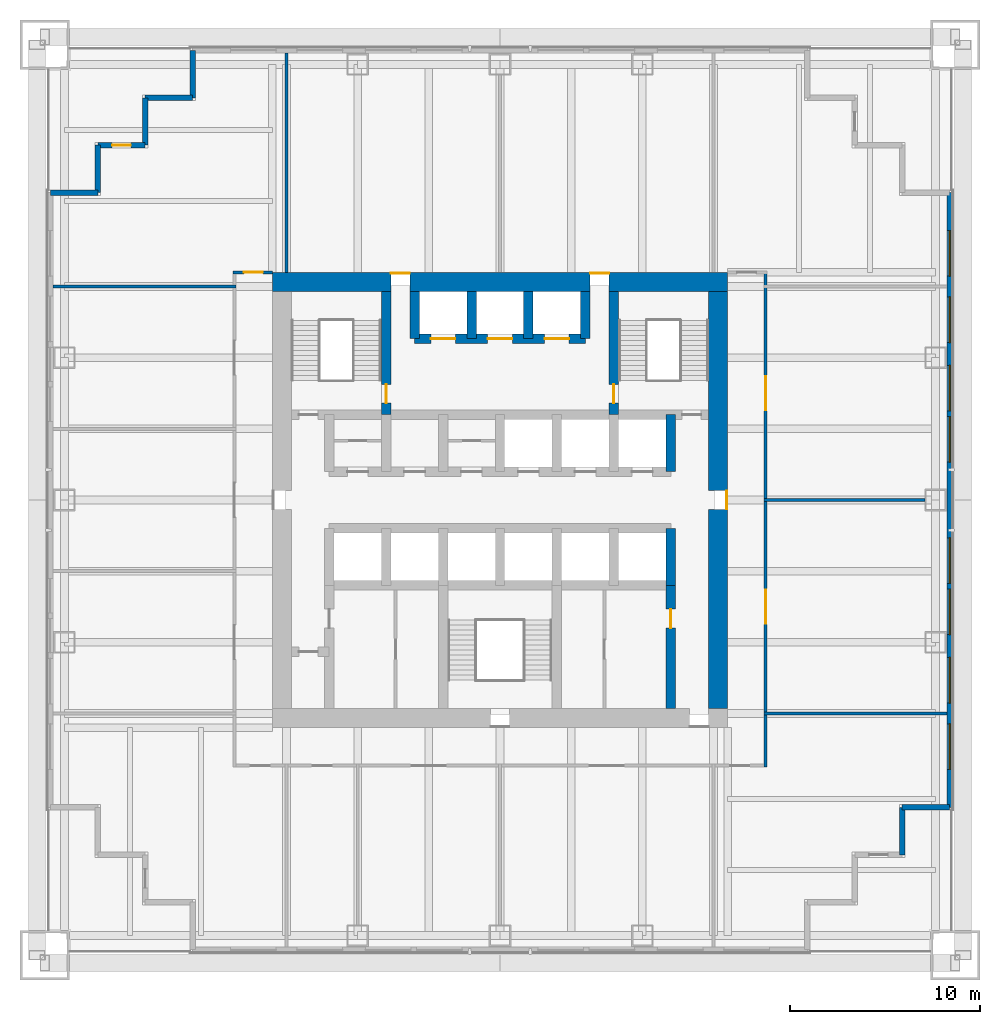
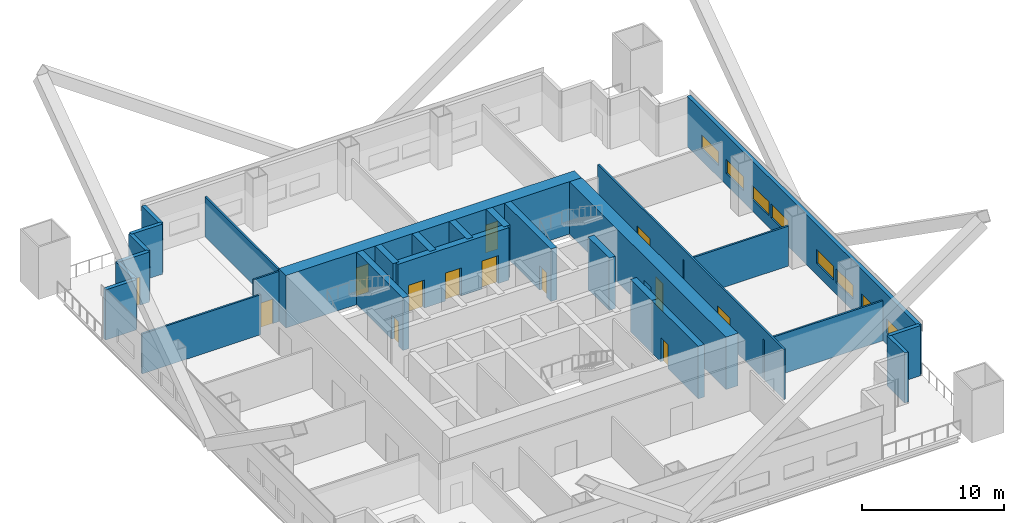
# One storey, part 4 of 7: 27 walls, 13 doors, 8 windows, 21 openings.
"""IFC4 building model written with IfcOpenShell, lengths in metres."""

from ifc_helpers import new_model, si_unit, direction, frame, frame_2d, origin, place, context, subcontext, project, spatial, rectangle, extrude, material, layer, layer_set, type_object, element, fill, save


model = new_model("IFC4")

# Units and contexts
model_context = context("Model", 3, precision=1e-05, world=origin(), true_north=direction((0.0, 1.0)))
body_context = subcontext(model_context, "Body", "Model", "MODEL_VIEW")
ifc_project = project(units=[si_unit("LENGTHUNIT", "METRE"), si_unit("AREAUNIT", "SQUARE_METRE"), si_unit("VOLUMEUNIT", "CUBIC_METRE"), si_unit("PLANEANGLEUNIT", "RADIAN"), si_unit("MASSUNIT", "GRAM", prefix="KILO")], contexts=[model_context])

# Site, building, storey
site_placement = place(None, origin())
site = spatial("IfcSite", under=ifc_project, at=site_placement, CompositionType="ELEMENT")
building_placement = place(site_placement, origin())
building = spatial("IfcBuilding", under=site, at=building_placement, Name="Tarangal Relay Tower", CompositionType="ELEMENT")
storey_placement = place(building_placement, frame((0.0, 0.0, 153.89990234375)))
storey = spatial("IfcBuildingStorey", under=building, at=storey_placement, Name="L31", CompositionType="ELEMENT", Elevation=153.89990234375)

# Wall, openings, doors
ifc_material_1 = material(Name="Concrete fc' 60 MPa", Category="concrete")
ifc_layer_1 = layer(ifc_material_1, 0.5)
ifc_layer_set_1 = layer_set([ifc_layer_1], Name="Core inner wall 500")
wall_type_1 = type_object("IfcWallType", Name="Core inner wall 500", PredefinedType="SHEAR", material=ifc_layer_set_1)
wall_1_placement = place(storey_placement, frame((-4.5, 8.5, 0.0), z_axis=(0.0, 0.0, 1.0), x_axis=(1.0, 0.0, 0.0)))
wall_1 = element("IfcWall", 1, at=wall_1_placement, inside=storey, type_object=wall_type_1, Name="Core wall Y85 L31", PredefinedType="SHEAR", context=body_context, shape_type="SweptSolid", body=[
    extrude(rectangle(XDim=9.0, YDim=0.5, at=frame_2d((4.5, 0.0))), origin(), (0.0, 0.0, 1.0), 4.5),
])
opening_1_placement = place(wall_1_placement, frame((0.85009765625, 0.0, 0.0)))
opening_1 = element("IfcOpeningElement", 2, at=opening_1_placement, cuts=wall_1, Name="Opening LD2", PredefinedType="OPENING", context=body_context, shape_type="SweptSolid", body=[
    extrude(rectangle(XDim=1.300048828125, YDim=2.39990234375, at=frame_2d((0.64990234375, 1.199951171875))), frame((0.0, 0.260009765625, 0.0), z_axis=(0.0, -1.0, 0.0), x_axis=(1.0, 0.0, 0.0)), (0.0, 0.0, 1.0), 0.52001953125),
])
opening_2_placement = place(wall_1_placement, frame((6.85009765625, 0.0, 0.0)))
opening_2 = element("IfcOpeningElement", 3, at=opening_2_placement, cuts=wall_1, Name="Opening LD2", PredefinedType="OPENING", context=body_context, shape_type="SweptSolid", body=[
    extrude(rectangle(XDim=1.300048828125, YDim=2.39990234375, at=frame_2d((0.64990234375, 1.199951171875))), frame((0.0, 0.260009765625, 0.0), z_axis=(0.0, -1.0, 0.0), x_axis=(1.0, 0.0, 0.0)), (0.0, 0.0, 1.0), 0.52001953125),
])
opening_3_placement = place(wall_1_placement, frame((3.85009765625, 0.0, 0.0)))
opening_3 = element("IfcOpeningElement", 4, at=opening_3_placement, cuts=wall_1, Name="Opening LD2", PredefinedType="OPENING", context=body_context, shape_type="SweptSolid", body=[
    extrude(rectangle(XDim=1.300048828125, YDim=2.39990234375, at=frame_2d((0.64990234375, 1.199951171875))), frame((0.0, 0.260009765625, 0.0), z_axis=(0.0, -1.0, 0.0), x_axis=(1.0, 0.0, 0.0)), (0.0, 0.0, 1.0), 0.52001953125),
])
ifc_material_2 = material(Name="Steel door with hardwood frame", Category="steel")
door_type_1 = type_object("IfcDoorType", Name="Lift landing door 1300 x 2400", OperationType="SLIDING_TO_LEFT", PredefinedType="DOOR", material=ifc_material_2)
door_1_placement = place(opening_1_placement, origin())
door_1 = element("IfcDoor", 5, at=door_1_placement, inside=storey, type_object=door_type_1, Name="Lift FF1 landing door L31", OperationType="SLIDING_TO_LEFT", OverallHeight=2.39990234375, OverallWidth=1.300048828125, PredefinedType="DOOR", context=body_context, shape_type="SweptSolid", body=[
    extrude(rectangle(XDim=1.300048828125, YDim=2.39990234375, at=frame_2d((0.64990234375, 1.199951171875))), frame((0.0, 0.02490234375, 0.0), z_axis=(0.0, -1.0, 0.0), x_axis=(1.0, 0.0, 0.0)), (0.0, 0.0, 1.0), 0.050048828125),
])
fill(opening_1, door_1)
door_2_placement = place(opening_2_placement, origin())
door_2 = element("IfcDoor", 6, at=door_2_placement, inside=storey, type_object=door_type_1, Name="Lift FF2 landing door L31", OperationType="SLIDING_TO_LEFT", OverallHeight=2.39990234375, OverallWidth=1.300048828125, PredefinedType="DOOR", context=body_context, shape_type="SweptSolid", body=[
    extrude(rectangle(XDim=1.300048828125, YDim=2.39990234375, at=frame_2d((0.64990234375, 1.199951171875))), frame((0.0, 0.02490234375, 0.0), z_axis=(0.0, -1.0, 0.0), x_axis=(1.0, 0.0, 0.0)), (0.0, 0.0, 1.0), 0.050048828125),
])
fill(opening_2, door_2)
door_3_placement = place(opening_3_placement, origin())
door_3 = element("IfcDoor", 7, at=door_3_placement, inside=storey, type_object=door_type_1, Name="Lift SV1 landing door L31", OperationType="SLIDING_TO_LEFT", OverallHeight=2.39990234375, OverallWidth=1.300048828125, PredefinedType="DOOR", context=body_context, shape_type="SweptSolid", body=[
    extrude(rectangle(XDim=1.300048828125, YDim=2.39990234375, at=frame_2d((0.64990234375, 1.199951171875))), frame((0.0, 0.02490234375, 0.0), z_axis=(0.0, -1.0, 0.0), x_axis=(1.0, 0.0, 0.0)), (0.0, 0.0, 1.0), 0.050048828125),
])
fill(opening_3, door_3)

# Walls
for number, where, z_axis, x_axis, name in (
    (8, (9.0, 1.5, 0.0), (0.0, 0.0, 1.0), (0.0, 1.0, 0.0), "Core wall X9N L31"),
    (9, (9.0, -4.5, 0.0), (0.0, 0.0, 1.0), (0.0, 1.0, 0.0), "Core wall X9S L31"),
):
    element("IfcWall", number, at=place(storey_placement, frame(where, z_axis=z_axis, x_axis=x_axis)), inside=storey, type_object=wall_type_1, Name=name, PredefinedType="SHEAR", context=body_context, shape_type="SweptSolid", body=[
        extrude(rectangle(XDim=3.0, YDim=0.5, at=frame_2d((1.5, 0.0))), origin(), (0.0, 0.0, 1.0), 4.5),
    ])

# Wall, opening, door
wall_2_placement = place(storey_placement, frame((-6.0, 4.5, 0.0), z_axis=(0.0, 0.0, 1.0), x_axis=(0.0, 1.0, 0.0)))
wall_2 = element("IfcWall", 10, at=wall_2_placement, inside=storey, type_object=wall_type_1, Name="Core wall XM6 L31", PredefinedType="SHEAR", context=body_context, shape_type="SweptSolid", body=[
    extrude(rectangle(XDim=6.5, YDim=0.5, at=frame_2d((3.25, 0.0))), origin(), (0.0, 0.0, 1.0), 4.5),
])
opening_4_placement = place(wall_2_placement, frame((0.60009765625, 0.0, 0.0)))
opening_4 = element("IfcOpeningElement", 11, at=opening_4_placement, cuts=wall_2, Name="Opening FD1", PredefinedType="OPENING", context=body_context, shape_type="SweptSolid", body=[
    extrude(rectangle(XDim=1.0, YDim=2.10009765625, at=frame_2d((0.5, 1.050048828125))), frame((0.0, 0.260009765625, 0.0), z_axis=(0.0, -1.0, 0.0), x_axis=(1.0, 0.0, 0.0)), (0.0, 0.0, 1.0), 0.52001953125),
])
door_type_2 = type_object("IfcDoorType", Name="Fire door 1000 x 2100", OperationType="SINGLE_SWING_LEFT", PredefinedType="DOOR", material=ifc_material_2)
door_4_placement = place(opening_4_placement, origin())
door_4 = element("IfcDoor", 12, at=door_4_placement, inside=storey, type_object=door_type_2, Name="Stair ST-A door from fire-fighting lobby L31", OperationType="SINGLE_SWING_LEFT", OverallHeight=2.10009765625, OverallWidth=1.0, PredefinedType="DOOR", context=body_context, shape_type="SweptSolid", body=[
    extrude(rectangle(XDim=1.0, YDim=2.10009765625, at=frame_2d((0.5, 1.050048828125))), frame((0.0, 0.02490234375, 0.0), z_axis=(0.0, -1.0, 0.0), x_axis=(1.0, 0.0, 0.0)), (0.0, 0.0, 1.0), 0.050048828125),
])
fill(opening_4, door_4)

wall_3_placement = place(storey_placement, frame((6.0, 4.5, 0.0), z_axis=(0.0, 0.0, 1.0), x_axis=(0.0, 1.0, 0.0)))
wall_3 = element("IfcWall", 13, at=wall_3_placement, inside=storey, type_object=wall_type_1, Name="Core wall X6 L31", PredefinedType="SHEAR", context=body_context, shape_type="SweptSolid", body=[
    extrude(rectangle(XDim=6.5, YDim=0.5, at=frame_2d((3.25, 0.0))), origin(), (0.0, 0.0, 1.0), 4.5),
])
opening_5_placement = place(wall_3_placement, frame((0.60009765625, 0.0, 0.0)))
opening_5 = element("IfcOpeningElement", 14, at=opening_5_placement, cuts=wall_3, Name="Opening FD1", PredefinedType="OPENING", context=body_context, shape_type="SweptSolid", body=[
    extrude(rectangle(XDim=1.0, YDim=2.10009765625, at=frame_2d((0.5, 1.050048828125))), frame((0.0, 0.260009765625, 0.0), z_axis=(0.0, -1.0, 0.0), x_axis=(1.0, 0.0, 0.0)), (0.0, 0.0, 1.0), 0.52001953125),
])
door_5_placement = place(opening_5_placement, origin())
door_5 = element("IfcDoor", 15, at=door_5_placement, inside=storey, type_object=door_type_2, Name="Stair ST-B door from fire-fighting lobby L31", OperationType="SINGLE_SWING_LEFT", OverallHeight=2.10009765625, OverallWidth=1.0, PredefinedType="DOOR", context=body_context, shape_type="SweptSolid", body=[
    extrude(rectangle(XDim=1.0, YDim=2.10009765625, at=frame_2d((0.5, 1.050048828125))), frame((0.0, 0.02490234375, 0.0), z_axis=(0.0, -1.0, 0.0), x_axis=(1.0, 0.0, 0.0)), (0.0, 0.0, 1.0), 0.050048828125),
])
fill(opening_5, door_5)

# Walls
for number, where, z_axis, x_axis, name in (
    (16, (-4.5, 8.5, 0.0), (0.0, 0.0, 1.0), (0.0, 1.0, 0.0), "Core wall XM45 L31"),
    (17, (4.5, 8.5, 0.0), (0.0, 0.0, 1.0), (0.0, 1.0, 0.0), "Core wall X45 L31"),
    (18, (-1.5, 8.5, 0.0), (0.0, 0.0, 1.0), (0.0, 1.0, 0.0), "Core wall XM15 L31"),
    (19, (1.5, 8.5, 0.0), (0.0, 0.0, 1.0), (0.0, 1.0, 0.0), "Core wall X15 L31"),
):
    element("IfcWall", number, at=place(storey_placement, frame(where, z_axis=z_axis, x_axis=x_axis)), inside=storey, type_object=wall_type_1, Name=name, PredefinedType="SHEAR", context=body_context, shape_type="SweptSolid", body=[
        extrude(rectangle(XDim=2.5, YDim=0.5, at=frame_2d((1.25, 0.0))), origin(), (0.0, 0.0, 1.0), 4.5),
    ])

# Wall, opening, door
wall_4_placement = place(storey_placement, frame((9.0, -11.0, 0.0), z_axis=(0.0, 0.0, 1.0), x_axis=(0.0, 1.0, 0.0)))
wall_4 = element("IfcWall", 20, at=wall_4_placement, inside=storey, type_object=wall_type_1, Name="Core wall X9W L31", PredefinedType="SHEAR", context=body_context, shape_type="SweptSolid", body=[
    extrude(rectangle(XDim=6.5, YDim=0.5, at=frame_2d((3.25, 0.0))), origin(), (0.0, 0.0, 1.0), 4.5),
])
opening_6_placement = place(wall_4_placement, frame((4.25, 0.0, 0.0)))
opening_6 = element("IfcOpeningElement", 21, at=opening_6_placement, cuts=wall_4, Name="Opening D1", PredefinedType="OPENING", context=body_context, shape_type="SweptSolid", body=[
    extrude(rectangle(XDim=1.0, YDim=2.10009765625, at=frame_2d((0.5, 1.050048828125))), frame((0.0, 0.260009765625, 0.0), z_axis=(0.0, -1.0, 0.0), x_axis=(1.0, 0.0, 0.0)), (0.0, 0.0, 1.0), 0.52001953125),
])
ifc_material_3 = material(Name="Hardwood door", Category="wood")
door_type_3 = type_object("IfcDoorType", Name="WC door 1000 x 2100", OperationType="SINGLE_SWING_LEFT", PredefinedType="DOOR", material=ifc_material_3)
door_6_placement = place(opening_6_placement, origin())
door_6 = element("IfcDoor", 22, at=door_6_placement, inside=storey, type_object=door_type_3, Name="Female WC door L31", OperationType="SINGLE_SWING_LEFT", OverallHeight=2.10009765625, OverallWidth=1.0, PredefinedType="DOOR", context=body_context, shape_type="SweptSolid", body=[
    extrude(rectangle(XDim=1.0, YDim=2.10009765625, at=frame_2d((0.5, 1.050048828125))), frame((0.0, 0.02490234375, 0.0), z_axis=(0.0, -1.0, 0.0), x_axis=(1.0, 0.0, 0.0)), (0.0, 0.0, 1.0), 0.050048828125),
])
fill(opening_6, door_6)

# Wall, openings, doors
ifc_layer_2 = layer(ifc_material_1, 1.0)
ifc_layer_set_2 = layer_set([ifc_layer_2], Name="Core wall 1000")
wall_type_2 = type_object("IfcWallType", Name="Core wall 1000", PredefinedType="SHEAR", material=ifc_layer_set_2)
wall_5_placement = place(storey_placement, frame((-12.0, 11.5, 0.0), z_axis=(0.0, 0.0, 1.0), x_axis=(1.0, 0.0, 0.0)))
wall_5 = element("IfcWall", 23, at=wall_5_placement, inside=storey, type_object=wall_type_2, Name="Core wall N L31", PredefinedType="SHEAR", context=body_context, shape_type="SweptSolid", body=[
    extrude(rectangle(XDim=24.0, YDim=1.0, at=frame_2d((12.0, 0.0))), origin(), (0.0, 0.0, 1.0), 4.5),
])
opening_7_placement = place(wall_5_placement, frame((6.25, 0.0, 0.0)))
opening_7 = element("IfcOpeningElement", 24, at=opening_7_placement, cuts=wall_5, Name="Opening FD3", PredefinedType="OPENING", context=body_context, shape_type="SweptSolid", body=[
    extrude(rectangle(XDim=1.0, YDim=2.39990234375, at=frame_2d((0.5, 1.199951171875))), frame((0.0, 0.510009765625, 0.0), z_axis=(0.0, -1.0, 0.0), x_axis=(1.0, 0.0, 0.0)), (0.0, 0.0, 1.0), 1.02001953125),
])
opening_8_placement = place(wall_5_placement, frame((16.75, 0.0, 0.0)))
opening_8 = element("IfcOpeningElement", 25, at=opening_8_placement, cuts=wall_5, Name="Opening FD3", PredefinedType="OPENING", context=body_context, shape_type="SweptSolid", body=[
    extrude(rectangle(XDim=1.0, YDim=2.39990234375, at=frame_2d((0.5, 1.199951171875))), frame((0.0, 0.510009765625, 0.0), z_axis=(0.0, -1.0, 0.0), x_axis=(1.0, 0.0, 0.0)), (0.0, 0.0, 1.0), 1.02001953125),
])
door_type_4 = type_object("IfcDoorType", Name="Fire door 1000 x 2400 core entry", OperationType="SINGLE_SWING_RIGHT", PredefinedType="DOOR", material=ifc_material_2)
door_7_placement = place(opening_7_placement, origin())
door_7 = element("IfcDoor", 26, at=door_7_placement, inside=storey, type_object=door_type_4, Name="Core entry door north west L31", OperationType="SINGLE_SWING_RIGHT", OverallHeight=2.39990234375, OverallWidth=1.0, PredefinedType="DOOR", context=body_context, shape_type="SweptSolid", body=[
    extrude(rectangle(XDim=1.0, YDim=2.39990234375, at=frame_2d((0.5, 1.199951171875))), frame((0.0, 0.48486328125, 0.0), z_axis=(0.0, -1.0, 0.0), x_axis=(1.0, 0.0, 0.0)), (0.0, 0.0, 1.0), 0.050048828125),
])
fill(opening_7, door_7)
door_8_placement = place(opening_8_placement, origin())
door_8 = element("IfcDoor", 27, at=door_8_placement, inside=storey, type_object=door_type_4, Name="Core entry door north east L31", OperationType="SINGLE_SWING_RIGHT", OverallHeight=2.39990234375, OverallWidth=1.0, PredefinedType="DOOR", context=body_context, shape_type="SweptSolid", body=[
    extrude(rectangle(XDim=1.0, YDim=2.39990234375, at=frame_2d((0.5, 1.199951171875))), frame((0.0, 0.48486328125, 0.0), z_axis=(0.0, -1.0, 0.0), x_axis=(1.0, 0.0, 0.0)), (0.0, 0.0, 1.0), 0.050048828125),
])
fill(opening_8, door_8)

# Wall, opening, door
wall_6_placement = place(storey_placement, frame((11.5, 11.0, 0.0), z_axis=(0.0, 0.0, 1.0), x_axis=(0.0, -1.0, 0.0)))
wall_6 = element("IfcWall", 28, at=wall_6_placement, inside=storey, type_object=wall_type_2, Name="Core wall E L31", PredefinedType="SHEAR", context=body_context, shape_type="SweptSolid", body=[
    extrude(rectangle(XDim=22.0, YDim=1.0, at=frame_2d((11.0, 0.0))), origin(), (0.0, 0.0, 1.0), 4.5),
])
opening_9_placement = place(wall_6_placement, frame((10.5, 0.0, 0.0)))
opening_9 = element("IfcOpeningElement", 29, at=opening_9_placement, cuts=wall_6, Name="Opening FD3", PredefinedType="OPENING", context=body_context, shape_type="SweptSolid", body=[
    extrude(rectangle(XDim=1.0, YDim=2.39990234375, at=frame_2d((0.5, 1.199951171875))), frame((0.0, 0.510009765625, 0.0), z_axis=(0.0, -1.0, 0.0), x_axis=(1.0, 0.0, 0.0)), (0.0, 0.0, 1.0), 1.02001953125),
])
door_9_placement = place(opening_9_placement, origin())
door_9 = element("IfcDoor", 30, at=door_9_placement, inside=storey, type_object=door_type_4, Name="Core entry door east L31", OperationType="SINGLE_SWING_RIGHT", OverallHeight=2.39990234375, OverallWidth=1.0, PredefinedType="DOOR", context=body_context, shape_type="SweptSolid", body=[
    extrude(rectangle(XDim=1.0, YDim=2.39990234375, at=frame_2d((0.5, 1.199951171875))), frame((0.0, 0.48486328125, 0.0), z_axis=(0.0, -1.0, 0.0), x_axis=(1.0, 0.0, 0.0)), (0.0, 0.0, 1.0), 0.050048828125),
])
fill(opening_9, door_9)

# Wall, openings, windows
ifc_material_4 = material(Name="Insulated precast concrete fc' 40 MPa", Category="concrete")
ifc_layer_3 = layer(ifc_material_4, 0.300048828125)
ifc_layer_set_3 = layer_set([ifc_layer_3], Name="Insulated precast concrete fc' 40 MPa")
wall_type_3 = type_object("IfcWallType", Name="Facade wall precast 300", PredefinedType="SOLIDWALL", material=ifc_layer_set_3)
wall_7_placement = place(storey_placement, frame((23.699951171875, 16.199951171875, 0.0), z_axis=(0.0, 0.0, 1.0), x_axis=(0.0, -1.0, 0.0)))
wall_7 = element("IfcWall", 31, at=wall_7_placement, inside=storey, type_object=wall_type_3, Name="Facade wall E facade L31", PredefinedType="SOLIDWALL", context=body_context, shape_type="SweptSolid", body=[
    extrude(rectangle(XDim=32.39990234375, YDim=0.300048828125, at=frame_2d((16.199951171875, 0.0))), origin(), (0.0, 0.0, 1.0), 4.300048828125),
])
opening_10_placement = place(wall_7_placement, frame((2.0, 0.0, 1.0)))
opening_10 = element("IfcOpeningElement", 32, at=opening_10_placement, cuts=wall_7, Name="Opening WN1", PredefinedType="OPENING", context=body_context, shape_type="SweptSolid", body=[
    extrude(rectangle(XDim=2.39990234375, YDim=1.199951171875, at=frame_2d((1.199951171875, 0.60009765625))), frame((0.0, 0.159912109375, 0.0), z_axis=(0.0, -1.0, 0.0), x_axis=(1.0, 0.0, 0.0)), (0.0, 0.0, 1.0), 0.320068359375),
])
opening_11_placement = place(wall_7_placement, frame((5.5, 0.0, 1.0)))
opening_11 = element("IfcOpeningElement", 33, at=opening_11_placement, cuts=wall_7, Name="Opening WN1", PredefinedType="OPENING", context=body_context, shape_type="SweptSolid", body=[
    extrude(rectangle(XDim=2.39990234375, YDim=1.199951171875, at=frame_2d((1.199951171875, 0.60009765625))), frame((0.0, 0.159912109375, 0.0), z_axis=(0.0, -1.0, 0.0), x_axis=(1.0, 0.0, 0.0)), (0.0, 0.0, 1.0), 0.320068359375),
])
opening_12_placement = place(wall_7_placement, frame((9.10009765625, 0.0, 1.0)))
opening_12 = element("IfcOpeningElement", 34, at=opening_12_placement, cuts=wall_7, Name="Opening WN1", PredefinedType="OPENING", context=body_context, shape_type="SweptSolid", body=[
    extrude(rectangle(XDim=2.39990234375, YDim=1.199951171875, at=frame_2d((1.199951171875, 0.60009765625))), frame((0.0, 0.159912109375, 0.0), z_axis=(0.0, -1.0, 0.0), x_axis=(1.0, 0.0, 0.0)), (0.0, 0.0, 1.0), 0.320068359375),
])
opening_13_placement = place(wall_7_placement, frame((11.800048828125, 0.0, 1.0)))
opening_13 = element("IfcOpeningElement", 35, at=opening_13_placement, cuts=wall_7, Name="Opening WN1", PredefinedType="OPENING", context=body_context, shape_type="SweptSolid", body=[
    extrude(rectangle(XDim=2.39990234375, YDim=1.199951171875, at=frame_2d((1.199951171875, 0.60009765625))), frame((0.0, 0.159912109375, 0.0), z_axis=(0.0, -1.0, 0.0), x_axis=(1.0, 0.0, 0.0)), (0.0, 0.0, 1.0), 0.320068359375),
])
opening_14_placement = place(wall_7_placement, frame((18.199951171875, 0.0, 1.0)))
opening_14 = element("IfcOpeningElement", 36, at=opening_14_placement, cuts=wall_7, Name="Opening WN1", PredefinedType="OPENING", context=body_context, shape_type="SweptSolid", body=[
    extrude(rectangle(XDim=2.39990234375, YDim=1.199951171875, at=frame_2d((1.199951171875, 0.60009765625))), frame((0.0, 0.159912109375, 0.0), z_axis=(0.0, -1.0, 0.0), x_axis=(1.0, 0.0, 0.0)), (0.0, 0.0, 1.0), 0.320068359375),
])
opening_15_placement = place(wall_7_placement, frame((20.89990234375, 0.0, 1.0)))
opening_15 = element("IfcOpeningElement", 37, at=opening_15_placement, cuts=wall_7, Name="Opening WN1", PredefinedType="OPENING", context=body_context, shape_type="SweptSolid", body=[
    extrude(rectangle(XDim=2.39990234375, YDim=1.199951171875, at=frame_2d((1.199951171875, 0.60009765625))), frame((0.0, 0.159912109375, 0.0), z_axis=(0.0, -1.0, 0.0), x_axis=(1.0, 0.0, 0.0)), (0.0, 0.0, 1.0), 0.320068359375),
])
opening_16_placement = place(wall_7_placement, frame((24.5, 0.0, 1.0)))
opening_16 = element("IfcOpeningElement", 38, at=opening_16_placement, cuts=wall_7, Name="Opening WN1", PredefinedType="OPENING", context=body_context, shape_type="SweptSolid", body=[
    extrude(rectangle(XDim=2.39990234375, YDim=1.199951171875, at=frame_2d((1.199951171875, 0.60009765625))), frame((0.0, 0.159912109375, 0.0), z_axis=(0.0, -1.0, 0.0), x_axis=(1.0, 0.0, 0.0)), (0.0, 0.0, 1.0), 0.320068359375),
])
opening_17_placement = place(wall_7_placement, frame((28.0, 0.0, 1.0)))
opening_17 = element("IfcOpeningElement", 39, at=opening_17_placement, cuts=wall_7, Name="Opening WN1", PredefinedType="OPENING", context=body_context, shape_type="SweptSolid", body=[
    extrude(rectangle(XDim=2.39990234375, YDim=1.199951171875, at=frame_2d((1.199951171875, 0.60009765625))), frame((0.0, 0.159912109375, 0.0), z_axis=(0.0, -1.0, 0.0), x_axis=(1.0, 0.0, 0.0)), (0.0, 0.0, 1.0), 0.320068359375),
])
ifc_material_5 = material(Name="Dark tinted double glazing in black aluminium frame", Category="aluminium")
window_type = type_object("IfcWindowType", Name="Ribbon window 2400 x 1200", PartitioningType="SINGLE_PANEL", PredefinedType="WINDOW", material=ifc_material_5)
window_1_placement = place(opening_10_placement, origin())
window_1 = element("IfcWindow", 40, at=window_1_placement, inside=storey, type_object=window_type, Name="Ribbon window WN1 E facade L31", OverallHeight=1.199951171875, OverallWidth=2.39990234375, PartitioningType="SINGLE_PANEL", PredefinedType="WINDOW", context=body_context, shape_type="SweptSolid", body=[
    extrude(rectangle(XDim=2.39990234375, YDim=1.199951171875, at=frame_2d((1.199951171875, 0.60009765625))), frame((0.0, 0.030029296875, 0.0), z_axis=(0.0, -1.0, 0.0), x_axis=(1.0, 0.0, 0.0)), (0.0, 0.0, 1.0), 0.06005859375),
])
fill(opening_10, window_1)
window_2_placement = place(opening_11_placement, origin())
window_2 = element("IfcWindow", 41, at=window_2_placement, inside=storey, type_object=window_type, Name="Ribbon window WN1 E facade L31", OverallHeight=1.199951171875, OverallWidth=2.39990234375, PartitioningType="SINGLE_PANEL", PredefinedType="WINDOW", context=body_context, shape_type="SweptSolid", body=[
    extrude(rectangle(XDim=2.39990234375, YDim=1.199951171875, at=frame_2d((1.199951171875, 0.60009765625))), frame((0.0, 0.030029296875, 0.0), z_axis=(0.0, -1.0, 0.0), x_axis=(1.0, 0.0, 0.0)), (0.0, 0.0, 1.0), 0.06005859375),
])
fill(opening_11, window_2)
window_3_placement = place(opening_12_placement, origin())
window_3 = element("IfcWindow", 42, at=window_3_placement, inside=storey, type_object=window_type, Name="Ribbon window WN1 E facade L31", OverallHeight=1.199951171875, OverallWidth=2.39990234375, PartitioningType="SINGLE_PANEL", PredefinedType="WINDOW", context=body_context, shape_type="SweptSolid", body=[
    extrude(rectangle(XDim=2.39990234375, YDim=1.199951171875, at=frame_2d((1.199951171875, 0.60009765625))), frame((0.0, 0.030029296875, 0.0), z_axis=(0.0, -1.0, 0.0), x_axis=(1.0, 0.0, 0.0)), (0.0, 0.0, 1.0), 0.06005859375),
])
fill(opening_12, window_3)
window_4_placement = place(opening_13_placement, origin())
window_4 = element("IfcWindow", 43, at=window_4_placement, inside=storey, type_object=window_type, Name="Ribbon window WN1 E facade L31", OverallHeight=1.199951171875, OverallWidth=2.39990234375, PartitioningType="SINGLE_PANEL", PredefinedType="WINDOW", context=body_context, shape_type="SweptSolid", body=[
    extrude(rectangle(XDim=2.39990234375, YDim=1.199951171875, at=frame_2d((1.199951171875, 0.60009765625))), frame((0.0, 0.030029296875, 0.0), z_axis=(0.0, -1.0, 0.0), x_axis=(1.0, 0.0, 0.0)), (0.0, 0.0, 1.0), 0.06005859375),
])
fill(opening_13, window_4)
window_5_placement = place(opening_14_placement, origin())
window_5 = element("IfcWindow", 44, at=window_5_placement, inside=storey, type_object=window_type, Name="Ribbon window WN1 E facade L31", OverallHeight=1.199951171875, OverallWidth=2.39990234375, PartitioningType="SINGLE_PANEL", PredefinedType="WINDOW", context=body_context, shape_type="SweptSolid", body=[
    extrude(rectangle(XDim=2.39990234375, YDim=1.199951171875, at=frame_2d((1.199951171875, 0.60009765625))), frame((0.0, 0.030029296875, 0.0), z_axis=(0.0, -1.0, 0.0), x_axis=(1.0, 0.0, 0.0)), (0.0, 0.0, 1.0), 0.06005859375),
])
fill(opening_14, window_5)
window_6_placement = place(opening_15_placement, origin())
window_6 = element("IfcWindow", 45, at=window_6_placement, inside=storey, type_object=window_type, Name="Ribbon window WN1 E facade L31", OverallHeight=1.199951171875, OverallWidth=2.39990234375, PartitioningType="SINGLE_PANEL", PredefinedType="WINDOW", context=body_context, shape_type="SweptSolid", body=[
    extrude(rectangle(XDim=2.39990234375, YDim=1.199951171875, at=frame_2d((1.199951171875, 0.60009765625))), frame((0.0, 0.030029296875, 0.0), z_axis=(0.0, -1.0, 0.0), x_axis=(1.0, 0.0, 0.0)), (0.0, 0.0, 1.0), 0.06005859375),
])
fill(opening_15, window_6)
window_7_placement = place(opening_16_placement, origin())
window_7 = element("IfcWindow", 46, at=window_7_placement, inside=storey, type_object=window_type, Name="Ribbon window WN1 E facade L31", OverallHeight=1.199951171875, OverallWidth=2.39990234375, PartitioningType="SINGLE_PANEL", PredefinedType="WINDOW", context=body_context, shape_type="SweptSolid", body=[
    extrude(rectangle(XDim=2.39990234375, YDim=1.199951171875, at=frame_2d((1.199951171875, 0.60009765625))), frame((0.0, 0.030029296875, 0.0), z_axis=(0.0, -1.0, 0.0), x_axis=(1.0, 0.0, 0.0)), (0.0, 0.0, 1.0), 0.06005859375),
])
fill(opening_16, window_7)
window_8_placement = place(opening_17_placement, origin())
window_8 = element("IfcWindow", 47, at=window_8_placement, inside=storey, type_object=window_type, Name="Ribbon window WN1 E facade L31", OverallHeight=1.199951171875, OverallWidth=2.39990234375, PartitioningType="SINGLE_PANEL", PredefinedType="WINDOW", context=body_context, shape_type="SweptSolid", body=[
    extrude(rectangle(XDim=2.39990234375, YDim=1.199951171875, at=frame_2d((1.199951171875, 0.60009765625))), frame((0.0, 0.030029296875, 0.0), z_axis=(0.0, -1.0, 0.0), x_axis=(1.0, 0.0, 0.0)), (0.0, 0.0, 1.0), 0.06005859375),
])
fill(opening_17, window_8)

# Walls
for number, where, z_axis, x_axis, name in (
    (48, (23.699951171875, -16.199951171875, 0.0), (0.0, 0.0, 1.0), (-1.0, 0.0, 0.0), "Facade wall E facade L31"),
    (49, (21.199951171875, -16.199951171875, 0.0), (0.0, 0.0, 1.0), (0.0, -1.0, 0.0), "Facade wall E facade L31"),
    (50, (-23.699951171875, 16.199951171875, 0.0), (0.0, 0.0, 1.0), (1.0, 0.0, 0.0), "Facade wall W facade L31"),
    (51, (-21.199951171875, 16.199951171875, 0.0), (0.0, 0.0, 1.0), (0.0, 1.0, 0.0), "Facade wall W facade L31"),
):
    element("IfcWall", number, at=place(storey_placement, frame(where, z_axis=z_axis, x_axis=x_axis)), inside=storey, type_object=wall_type_3, Name=name, PredefinedType="SOLIDWALL", context=body_context, shape_type="SweptSolid", body=[
        extrude(rectangle(XDim=2.5, YDim=0.300048828125, at=frame_2d((1.25, 0.0))), origin(), (0.0, 0.0, 1.0), 4.300048828125),
    ])

# Wall, opening, door
wall_8_placement = place(storey_placement, frame((-21.199951171875, 18.699951171875, 0.0), z_axis=(0.0, 0.0, 1.0), x_axis=(1.0, 0.0, 0.0)))
wall_8 = element("IfcWall", 52, at=wall_8_placement, inside=storey, type_object=wall_type_3, Name="Facade wall W facade L31", PredefinedType="SOLIDWALL", context=body_context, shape_type="SweptSolid", body=[
    extrude(rectangle(XDim=2.5, YDim=0.300048828125, at=frame_2d((1.25, 0.0))), origin(), (0.0, 0.0, 1.0), 4.300048828125),
])
opening_18_placement = place(wall_8_placement, frame((0.75, 0.0, 0.0)))
opening_18 = element("IfcOpeningElement", 53, at=opening_18_placement, cuts=wall_8, Name="Opening TD1", PredefinedType="OPENING", context=body_context, shape_type="SweptSolid", body=[
    extrude(rectangle(XDim=1.0, YDim=2.39990234375, at=frame_2d((0.5, 1.199951171875))), frame((0.0, 0.159912109375, 0.0), z_axis=(0.0, -1.0, 0.0), x_axis=(1.0, 0.0, 0.0)), (0.0, 0.0, 1.0), 0.320068359375),
])
ifc_material_6 = material(Name="Aluminium glazed door", Category="aluminium")
door_type_5 = type_object("IfcDoorType", Name="Terrace door 1000 x 2400", OperationType="SINGLE_SWING_RIGHT", PredefinedType="DOOR", material=ifc_material_6)
door_10_placement = place(opening_18_placement, origin())
door_10 = element("IfcDoor", 54, at=door_10_placement, inside=storey, type_object=door_type_5, Name="Terrace door TD1 NW L31", OperationType="SINGLE_SWING_RIGHT", OverallHeight=2.39990234375, OverallWidth=1.0, PredefinedType="DOOR", context=body_context, shape_type="SweptSolid", body=[
    extrude(rectangle(XDim=1.0, YDim=2.39990234375, at=frame_2d((0.5, 1.199951171875))), frame((0.0, 0.02490234375, 0.0), z_axis=(0.0, -1.0, 0.0), x_axis=(1.0, 0.0, 0.0)), (0.0, 0.0, 1.0), 0.050048828125),
])
fill(opening_18, door_10)

# Walls
for number, where, z_axis, x_axis, name in (
    (55, (-18.699951171875, 18.699951171875, 0.0), (0.0, 0.0, 1.0), (0.0, 1.0, 0.0), "Facade wall W facade L31"),
    (56, (-18.699951171875, 21.199951171875, 0.0), (0.0, 0.0, 1.0), (1.0, 0.0, 0.0), "Facade wall W facade L31"),
    (57, (-16.199951171875, 21.199951171875, 0.0), (0.0, 0.0, 1.0), (0.0, 1.0, 0.0), "Facade wall W facade L31"),
):
    element("IfcWall", number, at=place(storey_placement, frame(where, z_axis=z_axis, x_axis=x_axis)), inside=storey, type_object=wall_type_3, Name=name, PredefinedType="SOLIDWALL", context=body_context, shape_type="SweptSolid", body=[
        extrude(rectangle(XDim=2.5, YDim=0.300048828125, at=frame_2d((1.25, 0.0))), origin(), (0.0, 0.0, 1.0), 4.300048828125),
    ])
ifc_material_7 = material(Name="Gypsum board on steel studs", Category="steel")
ifc_layer_4 = layer(ifc_material_7, 0.14990234375)
ifc_layer_set_4 = layer_set([ifc_layer_4], Name="Partition 150")
wall_type_4 = type_object("IfcWallType", Name="Partition 150", PredefinedType="PARTITIONING", material=ifc_layer_set_4)
wall_9_placement = place(storey_placement, frame((13.925048828125, -11.25, 0.0), z_axis=(0.0, 0.0, 1.0), x_axis=(1.0, 0.0, 0.0)))
element("IfcWall", 58, at=wall_9_placement, inside=storey, type_object=wall_type_4, Name="Partition PT1 L31", PredefinedType="PARTITIONING", context=body_context, shape_type="SweptSolid", body=[
    extrude(rectangle(XDim=9.625, YDim=0.14990234375, at=frame_2d((4.8125, 0.0))), origin(), (0.0, 0.0, 1.0), 3.431396484375),
])
wall_10_placement = place(storey_placement, frame((13.925048828125, 0.0, 0.0), z_axis=(0.0, 0.0, 1.0), x_axis=(1.0, 0.0, 0.0)))
element("IfcWall", 59, at=wall_10_placement, inside=storey, type_object=wall_type_4, Name="Partition PT1 L31", PredefinedType="PARTITIONING", context=body_context, shape_type="SweptSolid", body=[
    extrude(rectangle(XDim=8.46484375, YDim=0.14990234375, at=frame_2d((4.232421875, 0.0))), origin(), (0.0, 0.0, 1.0), 3.431396484375),
])
wall_11_placement = place(storey_placement, frame((-23.550048828125, 11.25, 0.0), z_axis=(0.0, 0.0, 1.0), x_axis=(1.0, 0.0, 0.0)))
element("IfcWall", 60, at=wall_11_placement, inside=storey, type_object=wall_type_4, Name="Partition PT1 L31", PredefinedType="PARTITIONING", context=body_context, shape_type="SweptSolid", body=[
    extrude(rectangle(XDim=9.625, YDim=0.14990234375, at=frame_2d((4.8125, 0.0))), origin(), (0.0, 0.0, 1.0), 3.431396484375),
])

# Wall, opening, door
wall_12_placement = place(storey_placement, frame((-14.074951171875, 12.0, 0.0), z_axis=(0.0, 0.0, 1.0), x_axis=(1.0, 0.0, 0.0)))
wall_12 = element("IfcWall", 61, at=wall_12_placement, inside=storey, type_object=wall_type_4, Name="Partition PT1 L31", PredefinedType="PARTITIONING", context=body_context, shape_type="SweptSolid", body=[
    extrude(rectangle(XDim=2.074951171875, YDim=0.14990234375, at=frame_2d((1.03759765625, 0.0))), origin(), (0.0, 0.0, 1.0), 4.300048828125),
])
opening_19_placement = place(wall_12_placement, frame((0.574951171875, 0.0, 0.0)))
opening_19 = element("IfcOpeningElement", 62, at=opening_19_placement, cuts=wall_12, Name="Opening D2", PredefinedType="OPENING", context=body_context, shape_type="SweptSolid", body=[
    extrude(rectangle(XDim=1.0, YDim=2.10009765625, at=frame_2d((0.5, 1.050048828125))), frame((0.0, 0.0849609375, 0.0), z_axis=(0.0, -1.0, 0.0), x_axis=(1.0, 0.0, 0.0)), (0.0, 0.0, 1.0), 0.169921875),
])
door_type_6 = type_object("IfcDoorType", Name="Door 1000 x 2100", OperationType="SINGLE_SWING_LEFT", PredefinedType="DOOR", material=ifc_material_3)
door_11_placement = place(opening_19_placement, origin())
door_11 = element("IfcDoor", 63, at=door_11_placement, inside=storey, type_object=door_type_6, Name="Door D2 to rack staging room L31-15", OperationType="SINGLE_SWING_LEFT", OverallHeight=2.10009765625, OverallWidth=1.0, PredefinedType="DOOR", context=body_context, shape_type="SweptSolid", body=[
    extrude(rectangle(XDim=1.0, YDim=2.10009765625, at=frame_2d((0.5, 1.050048828125))), frame((0.0, 0.02490234375, 0.0), z_axis=(0.0, -1.0, 0.0), x_axis=(1.0, 0.0, 0.0)), (0.0, 0.0, 1.0), 0.050048828125),
])
fill(opening_19, door_11)

# Wall
wall_13_placement = place(storey_placement, frame((-11.25, 12.0, 0.0), z_axis=(0.0, 0.0, 1.0), x_axis=(0.0, 1.0, 0.0)))
element("IfcWall", 64, at=wall_13_placement, inside=storey, type_object=wall_type_4, Name="Partition PT1 L31", PredefinedType="PARTITIONING", context=body_context, shape_type="SweptSolid", body=[
    extrude(rectangle(XDim=11.550048828125, YDim=0.14990234375, at=frame_2d((5.77490234375, 0.0))), origin(), (0.0, 0.0, 1.0), 3.431396484375),
])

# Wall, openings, doors
wall_14_placement = place(storey_placement, frame((14.0, -14.074951171875, 0.0), z_axis=(0.0, 0.0, 1.0), x_axis=(0.0, 1.0, 0.0)))
wall_14 = element("IfcWall", 65, at=wall_14_placement, inside=storey, type_object=wall_type_4, Name="Partition PT1 L31", PredefinedType="PARTITIONING", context=body_context, shape_type="SweptSolid", body=[
    extrude(rectangle(XDim=26.14990234375, YDim=0.14990234375, at=frame_2d((13.074951171875, 0.0))), origin(), (0.0, 0.0, 1.0), 4.300048828125),
])
opening_20_placement = place(wall_14_placement, frame((18.800048828125, 0.0, 0.0)))
opening_20 = element("IfcOpeningElement", 66, at=opening_20_placement, cuts=wall_14, Name="Opening DD1", PredefinedType="OPENING", context=body_context, shape_type="SweptSolid", body=[
    extrude(rectangle(XDim=1.800048828125, YDim=2.39990234375, at=frame_2d((0.89990234375, 1.199951171875))), frame((0.0, 0.0849609375, 0.0), z_axis=(0.0, -1.0, 0.0), x_axis=(1.0, 0.0, 0.0)), (0.0, 0.0, 1.0), 0.169921875),
])
opening_21_placement = place(wall_14_placement, frame((7.550048828125, 0.0, 0.0)))
opening_21 = element("IfcOpeningElement", 67, at=opening_21_placement, cuts=wall_14, Name="Opening DD1", PredefinedType="OPENING", context=body_context, shape_type="SweptSolid", body=[
    extrude(rectangle(XDim=1.800048828125, YDim=2.39990234375, at=frame_2d((0.89990234375, 1.199951171875))), frame((0.0, 0.0849609375, 0.0), z_axis=(0.0, -1.0, 0.0), x_axis=(1.0, 0.0, 0.0)), (0.0, 0.0, 1.0), 0.169921875),
])
door_type_7 = type_object("IfcDoorType", Name="Equipment double door 1800 x 2400", OperationType="DOUBLE_DOOR_SINGLE_SWING", PredefinedType="DOOR", material=ifc_material_2)
door_12_placement = place(opening_20_placement, origin())
door_12 = element("IfcDoor", 68, at=door_12_placement, inside=storey, type_object=door_type_7, Name="Door DD1 to meet-me room L31-04", OperationType="DOUBLE_DOOR_SINGLE_SWING", OverallHeight=2.39990234375, OverallWidth=1.800048828125, PredefinedType="DOOR", context=body_context, shape_type="SweptSolid", body=[
    extrude(rectangle(XDim=1.800048828125, YDim=2.39990234375, at=frame_2d((0.89990234375, 1.199951171875))), frame((0.0, 0.02490234375, 0.0), z_axis=(0.0, -1.0, 0.0), x_axis=(1.0, 0.0, 0.0)), (0.0, 0.0, 1.0), 0.050048828125),
])
fill(opening_20, door_12)
door_13_placement = place(opening_21_placement, origin())
door_13 = element("IfcDoor", 69, at=door_13_placement, inside=storey, type_object=door_type_7, Name="Door DD1 to carrier equipment room L31-05", OperationType="DOUBLE_DOOR_SINGLE_SWING", OverallHeight=2.39990234375, OverallWidth=1.800048828125, PredefinedType="DOOR", context=body_context, shape_type="SweptSolid", body=[
    extrude(rectangle(XDim=1.800048828125, YDim=2.39990234375, at=frame_2d((0.89990234375, 1.199951171875))), frame((0.0, 0.02490234375, 0.0), z_axis=(0.0, -1.0, 0.0), x_axis=(1.0, 0.0, 0.0)), (0.0, 0.0, 1.0), 0.050048828125),
])
fill(opening_21, door_13)

save(model, "model.ifc")
